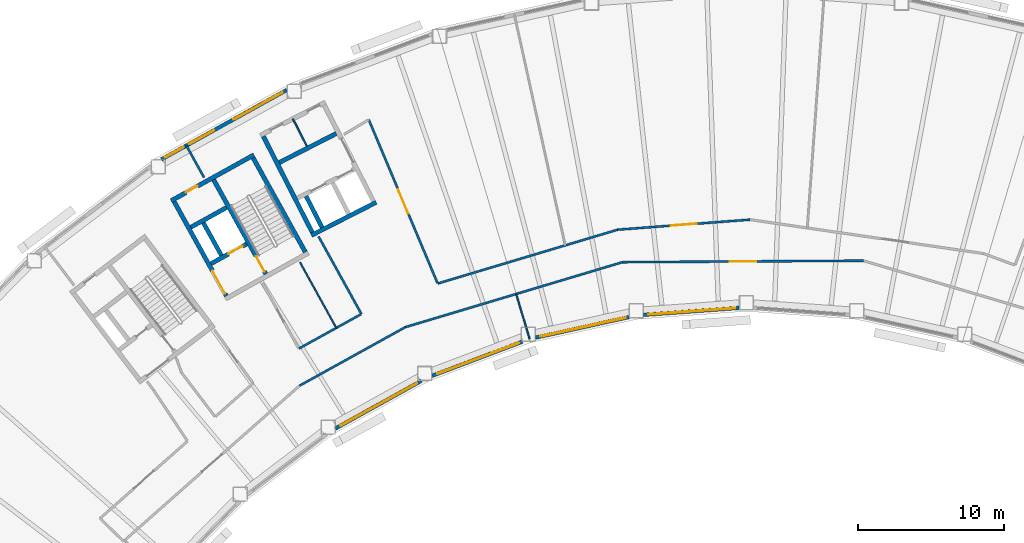
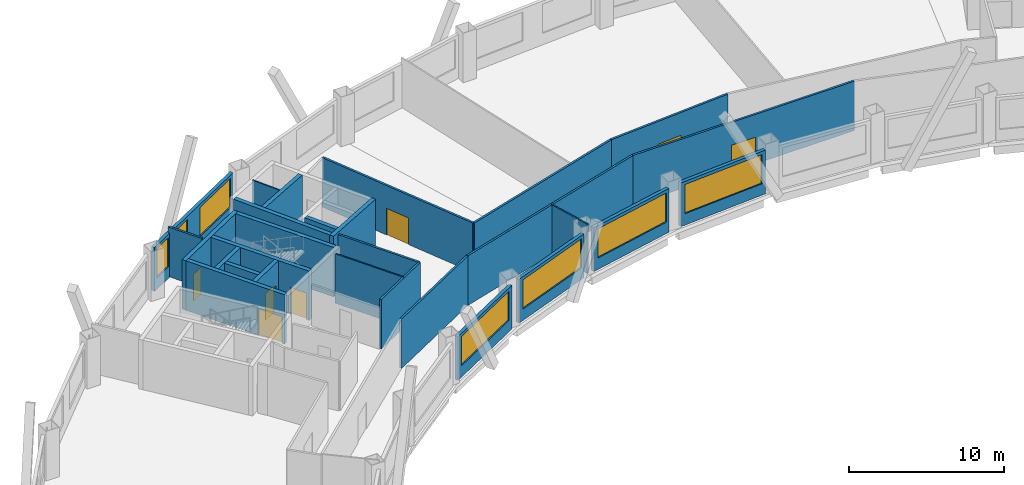
# One storey, part 4 of 11: 28 walls, 7 doors, 7 windows, 14 openings.
"""IFC4 building model written with IfcOpenShell, lengths in metres."""

from ifc_helpers import new_model, si_unit, direction, frame, frame_2d, origin, place, context, subcontext, project, spatial, rectangle, extrude, material, layer, layer_set, type_object, element, fill, save


model = new_model("IFC4")

# Units and contexts
model_context = context("Model", 3, precision=1e-05, world=origin(), true_north=direction((0.0, 1.0)))
body_context = subcontext(model_context, "Body", "Model", "MODEL_VIEW")
ifc_project = project(units=[si_unit("LENGTHUNIT", "METRE"), si_unit("AREAUNIT", "SQUARE_METRE"), si_unit("VOLUMEUNIT", "CUBIC_METRE"), si_unit("PLANEANGLEUNIT", "RADIAN"), si_unit("MASSUNIT", "GRAM", prefix="KILO")], contexts=[model_context])

# Site, building, storey
site_placement = place(None, origin())
site = spatial("IfcSite", under=ifc_project, at=site_placement, CompositionType="ELEMENT")
building_placement = place(site_placement, origin())
building = spatial("IfcBuilding", under=site, at=building_placement, Name="Tuul Gate Civic Tower", CompositionType="ELEMENT")
storey_placement = place(building_placement, frame((0.0, 0.0, 155.0)))
storey = spatial("IfcBuildingStorey", under=building, at=storey_placement, Name="Level 35", CompositionType="ELEMENT", Elevation=155.0)

# Wall, opening, door
ifc_material_1 = material(Name="Concrete C50/60", Category="concrete")
ifc_layer_1 = layer(ifc_material_1, 0.300048828125)
ifc_layer_set_1 = layer_set([ifc_layer_1], Name="Concrete C50/60")
wall_type_1 = type_object("IfcWallType", Name="Core wall C50/60", PredefinedType="SHEAR", material=ifc_layer_set_1)
wall_1_placement = place(storey_placement, frame((-28.94580078125, -8.090087890625, 0.0), z_axis=(0.0, 0.0, 1.0), x_axis=(-0.874629840737, -0.484791338301, 0.0)))
wall_1 = element("IfcWall", 1, at=wall_1_placement, inside=storey, type_object=wall_type_1, Name="Core wall", PredefinedType="SHEAR", context=body_context, shape_type="SweptSolid", body=[
    extrude(rectangle(XDim=2.800048828125, YDim=0.300048828125, at=frame_2d((1.39990234375, 0.0))), origin(), (0.0, 0.0, 1.0), 3.89990234375),
])
opening_1_placement = place(wall_1_placement, frame((0.324951171875, 0.0, 0.0)))
opening_1 = element("IfcOpeningElement", 2, at=opening_1_placement, cuts=wall_1, Name="Opening LD-FF-1", PredefinedType="OPENING", context=body_context, shape_type="SweptSolid", body=[
    extrude(rectangle(XDim=1.10009765625, YDim=2.10009765625, at=frame_2d((0.550048828125, 1.050048828125))), frame((0.0, 0.16015625, 0.0), z_axis=(0.0, -1.0, 0.0), x_axis=(1.0, 0.0, 0.0)), (0.0, 0.0, 1.0), 0.320068359375),
])
ifc_material_2 = material(Name="Stainless steel", Category="steel")
door_type_1 = type_object("IfcDoorType", Name="Landing door", OperationType="DOUBLE_DOOR_SLIDING", PredefinedType="DOOR", material=ifc_material_2)
door_1_placement = place(opening_1_placement, origin())
door_1 = element("IfcDoor", 3, at=door_1_placement, inside=storey, type_object=door_type_1, Name="Fire-fighting lift FF-1 landing door", OperationType="DOUBLE_DOOR_SLIDING", OverallHeight=2.10009765625, OverallWidth=1.10009765625, PredefinedType="DOOR", context=body_context, shape_type="SweptSolid", body=[
    extrude(rectangle(XDim=1.10009765625, YDim=2.10009765625, at=frame_2d((0.550048828125, 1.050048828125))), frame((0.0, 0.02490234375, 0.0), z_axis=(0.0, -1.0, 0.0), x_axis=(1.0, 0.0, 0.0)), (0.0, 0.0, 1.0), 0.050048828125),
])
fill(opening_1, door_1)

# Wall
wall_2_placement = place(storey_placement, frame((-30.327392578125, -5.59716796875, 0.0), z_axis=(0.0, 0.0, 1.0), x_axis=(-0.874629840737, -0.484791338301, 0.0)))
element("IfcWall", 4, at=wall_2_placement, inside=storey, type_object=wall_type_1, Name="Core wall", PredefinedType="SHEAR", context=body_context, shape_type="SweptSolid", body=[
    extrude(rectangle(XDim=2.800048828125, YDim=0.300048828125, at=frame_2d((1.39990234375, 0.0))), origin(), (0.0, 0.0, 1.0), 3.89990234375),
])

# Wall, opening, door
wall_3_placement = place(storey_placement, frame((-28.4443359375, -1.98095703125, 0.0), z_axis=(0.0, 0.0, 1.0), x_axis=(-0.874629909008, -0.484791215132, 0.0)))
wall_3 = element("IfcWall", 5, at=wall_3_placement, inside=storey, type_object=wall_type_1, Name="Core wall", PredefinedType="SHEAR", context=body_context, shape_type="SweptSolid", body=[
    extrude(rectangle(XDim=6.5, YDim=0.300048828125, at=frame_2d((3.25, 0.0))), origin(), (0.0, 0.0, 1.0), 3.89990234375),
])
opening_2_placement = place(wall_3_placement, frame((4.425048828125, 0.0, 0.0)))
opening_2 = element("IfcOpeningElement", 6, at=opening_2_placement, cuts=wall_3, Name="Opening L-D12", PredefinedType="OPENING", context=body_context, shape_type="SweptSolid", body=[
    extrude(rectangle(XDim=0.89990234375, YDim=2.10009765625, at=frame_2d((0.449951171875, 1.050048828125))), frame((0.0, 0.16015625, 0.0), z_axis=(0.0, -1.0, 0.0), x_axis=(1.0, 0.0, 0.0)), (0.0, 0.0, 1.0), 0.320068359375),
])
ifc_material_3 = material(Name="Timber door leaf", Category="wood")
door_type_2 = type_object("IfcDoorType", Name="Door D09", OperationType="NOTDEFINED", PredefinedType="DOOR", material=ifc_material_3)
door_2_placement = place(opening_2_placement, origin())
door_2 = element("IfcDoor", 7, at=door_2_placement, inside=storey, type_object=door_type_2, Name="Door L-D12", OperationType="SINGLE_SWING_LEFT", OverallHeight=2.10009765625, OverallWidth=0.89990234375, PredefinedType="DOOR", context=body_context, shape_type="SweptSolid", body=[
    extrude(rectangle(XDim=0.89990234375, YDim=2.10009765625, at=frame_2d((0.449951171875, 1.050048828125))), frame((0.0, 0.02490234375, 0.0), z_axis=(0.0, -1.0, 0.0), x_axis=(1.0, 0.0, 0.0)), (0.0, 0.0, 1.0), 0.050048828125),
])
fill(opening_2, door_2)

# Wall
wall_4_placement = place(storey_placement, frame((-24.91552734375, -8.6572265625, 0.0), z_axis=(0.0, 0.0, 1.0), x_axis=(-0.484777133038, 0.874637714304, 0.0)))
element("IfcWall", 8, at=wall_4_placement, inside=storey, type_object=wall_type_1, Name="Core wall", PredefinedType="SHEAR", context=body_context, shape_type="SweptSolid", body=[
    extrude(rectangle(XDim=7.400146484375, YDim=0.300048828125, at=frame_2d((3.7001953125, 0.0))), origin(), (0.0, 0.0, 1.0), 3.89990234375),
])

# Wall, opening, door
wall_5_placement = place(storey_placement, frame((-27.626953125, -10.16015625, 0.0), z_axis=(0.0, 0.0, 1.0), x_axis=(-0.484751894226, 0.874651702704, 0.0)))
wall_5 = element("IfcWall", 9, at=wall_5_placement, inside=storey, type_object=wall_type_1, Name="Core wall", PredefinedType="SHEAR", context=body_context, shape_type="SweptSolid", body=[
    extrude(rectangle(XDim=7.39990234375, YDim=0.300048828125, at=frame_2d((3.699951171875, 0.0))), origin(), (0.0, 0.0, 1.0), 3.89990234375),
])
opening_3_placement = place(wall_5_placement, frame((0.199951171875, 0.0, 0.0)))
opening_3 = element("IfcOpeningElement", 10, at=opening_3_placement, cuts=wall_5, Name="Opening SD-ST-2", PredefinedType="OPENING", context=body_context, shape_type="SweptSolid", body=[
    extrude(rectangle(XDim=1.199951171875, YDim=2.10009765625, at=frame_2d((0.60009765625, 1.050048828125))), frame((0.0, 0.16015625, 0.0), z_axis=(0.0, -1.0, 0.0), x_axis=(1.0, 0.0, 0.0)), (0.0, 0.0, 1.0), 0.320068359375),
])
ifc_material_4 = material(Name="Steel", Category="steel")
door_type_3 = type_object("IfcDoorType", Name="Stair door", OperationType="NOTDEFINED", PredefinedType="DOOR", material=ifc_material_4)
door_3_placement = place(opening_3_placement, origin())
door_3 = element("IfcDoor", 11, at=door_3_placement, inside=storey, type_object=door_type_3, Name="Stair door ST-2", OperationType="SINGLE_SWING_LEFT", OverallHeight=2.10009765625, OverallWidth=1.199951171875, PredefinedType="DOOR", context=body_context, shape_type="SweptSolid", body=[
    extrude(rectangle(XDim=1.199951171875, YDim=2.10009765625, at=frame_2d((0.60009765625, 1.050048828125))), frame((0.0, 0.02490234375, 0.0), z_axis=(0.0, -1.0, 0.0), x_axis=(1.0, 0.0, 0.0)), (0.0, 0.0, 1.0), 0.050048828125),
])
fill(opening_3, door_3)

# Wall
wall_6_placement = place(storey_placement, frame((-30.680419921875, -8.8798828125, 0.0), z_axis=(0.0, 0.0, 1.0), x_axis=(-0.484724115216, 0.874667097888, 0.0)))
element("IfcWall", 12, at=wall_6_placement, inside=storey, type_object=wall_type_1, Name="Core wall", PredefinedType="SHEAR", context=body_context, shape_type="SweptSolid", body=[
    extrude(rectangle(XDim=2.550048828125, YDim=0.300048828125, at=frame_2d((1.27490234375, 0.0))), origin(), (0.0, 0.0, 1.0), 3.89990234375),
])

# Wall, opening, door
wall_7_placement = place(storey_placement, frame((-30.33837890625, -11.6630859375, 0.0), z_axis=(0.0, 0.0, 1.0), x_axis=(-0.484751894226, 0.874651702704, 0.0)))
wall_7 = element("IfcWall", 13, at=wall_7_placement, inside=storey, type_object=wall_type_1, Name="Core wall", PredefinedType="SHEAR", context=body_context, shape_type="SweptSolid", body=[
    extrude(rectangle(XDim=7.39990234375, YDim=0.300048828125, at=frame_2d((3.699951171875, 0.0))), origin(), (0.0, 0.0, 1.0), 3.89990234375),
])
opening_4_placement = place(wall_7_placement, frame((0.175048828125, 0.0, 0.0)))
opening_4 = element("IfcOpeningElement", 14, at=opening_4_placement, cuts=wall_7, Name="Opening LB-W2-FLOBBY-1", PredefinedType="OPENING", context=body_context, shape_type="SweptSolid", body=[
    extrude(rectangle(XDim=1.800048828125, YDim=2.10009765625, at=frame_2d((0.89990234375, 1.050048828125))), frame((0.0, 0.16015625, 0.0), z_axis=(0.0, -1.0, 0.0), x_axis=(1.0, 0.0, 0.0)), (0.0, 0.0, 1.0), 0.320068359375),
])
ifc_material_5 = material(Name="Steel", Category="steel")
door_type_4 = type_object("IfcDoorType", Name="Lobby door", OperationType="DOUBLE_DOOR_SINGLE_SWING", PredefinedType="DOOR", material=ifc_material_5)
door_4_placement = place(opening_4_placement, frame((1.800048828125, 0.0, 0.0), z_axis=(0.0, 0.0, 1.0), x_axis=(-1.0, 0.0, 0.0)))
door_4 = element("IfcDoor", 15, at=door_4_placement, inside=storey, type_object=door_type_4, Name="Lobby door W2-FLOBBY", OperationType="DOUBLE_DOOR_SINGLE_SWING", OverallHeight=2.10009765625, OverallWidth=1.800048828125, PredefinedType="DOOR", context=body_context, shape_type="SweptSolid", body=[
    extrude(rectangle(XDim=1.800048828125, YDim=2.10009765625, at=frame_2d((0.900146484375, 1.050048828125))), frame((0.0, 0.02490234375, 0.0), z_axis=(0.0, -1.0, 0.0), x_axis=(1.0, 0.0, 0.0)), (0.0, 0.0, 1.0), 0.050048828125),
])
fill(opening_4, door_4)

ifc_material_6 = material(Name="Gypsum board partition")
ifc_layer_2 = layer(ifc_material_6, 0.14990234375)
ifc_layer_set_2 = layer_set([ifc_layer_2], Name="Gypsum board partition")
wall_type_2 = type_object("IfcWallType", Name="Corridor wall P150", PredefinedType="PARTITIONING", material=ifc_layer_set_2)
wall_8_placement = place(storey_placement, frame((-3.470947265625, -7.116455078125, 0.0), z_axis=(0.0, 0.0, 1.0), x_axis=(0.997138621877, 0.075594766752, 0.0)))
wall_8 = element("IfcWall", 16, at=wall_8_placement, inside=storey, type_object=wall_type_2, Name="p019", PredefinedType="PARTITIONING", context=body_context, shape_type="SweptSolid", body=[
    extrude(rectangle(XDim=9.1171875, YDim=0.14990234375, at=frame_2d((4.55859375, 0.0))), origin(), (0.0, 0.0, 1.0), 3.89990234375),
])
opening_5_placement = place(wall_8_placement, frame((3.658447265625, 0.0, 0.0)))
opening_5 = element("IfcOpeningElement", 17, at=opening_5_placement, cuts=wall_8, Name="Opening L-D04", PredefinedType="OPENING", context=body_context, shape_type="SweptSolid", body=[
    extrude(rectangle(XDim=1.800048828125, YDim=2.10009765625, at=frame_2d((0.89990234375, 1.050048828125))), frame((0.0, 0.0849609375, 0.0), z_axis=(0.0, -1.0, 0.0), x_axis=(1.0, 0.0, 0.0)), (0.0, 0.0, 1.0), 0.169921875),
])
ifc_material_7 = material(Name="Timber door leaf, double", Category="wood")
door_type_5 = type_object("IfcDoorType", Name="Door D18", OperationType="DOUBLE_DOOR_SINGLE_SWING", PredefinedType="DOOR", material=ifc_material_7)
door_5_placement = place(opening_5_placement, origin())
door_5 = element("IfcDoor", 18, at=door_5_placement, inside=storey, type_object=door_type_5, Name="Door L-D04", OperationType="DOUBLE_DOOR_SINGLE_SWING", OverallHeight=2.10009765625, OverallWidth=1.800048828125, PredefinedType="DOOR", context=body_context, shape_type="SweptSolid", body=[
    extrude(rectangle(XDim=1.800048828125, YDim=2.10009765625, at=frame_2d((0.89990234375, 1.050048828125))), frame((0.0, 0.02490234375, 0.0), z_axis=(0.0, -1.0, 0.0), x_axis=(1.0, 0.0, 0.0)), (0.0, 0.0, 1.0), 0.050048828125),
])
fill(opening_5, door_5)

# Wall
wall_9_placement = place(storey_placement, frame((-15.811279296875, -10.80859375, 0.0), z_axis=(0.0, 0.0, 1.0), x_axis=(0.95803160682, 0.286662589701, 0.0)))
element("IfcWall", 19, at=wall_9_placement, inside=storey, type_object=wall_type_2, Name="p020", PredefinedType="PARTITIONING", context=body_context, shape_type="SweptSolid", body=[
    extrude(rectangle(XDim=12.87890625, YDim=0.14990234375, at=frame_2d((6.439453125, 0.0))), origin(), (0.0, 0.0, 1.0), 3.89990234375),
])

# Wall, opening, door
wall_10_placement = place(storey_placement, frame((-20.5615234375, 0.435546875, 0.0), z_axis=(0.0, 0.0, 1.0), x_axis=(0.387744378933, -0.921766942674, 0.0)))
wall_10 = element("IfcWall", 20, at=wall_10_placement, inside=storey, type_object=wall_type_2, Name="p022", PredefinedType="PARTITIONING", context=body_context, shape_type="SweptSolid", body=[
    extrude(rectangle(XDim=12.185546875, YDim=0.14990234375, at=frame_2d((6.0927734375, 0.0))), origin(), (0.0, 0.0, 1.0), 3.89990234375),
])
opening_6_placement = place(wall_10_placement, frame((5.19287109375, 0.0, 0.0)))
opening_6 = element("IfcOpeningElement", 21, at=opening_6_placement, cuts=wall_10, Name="Opening L-D05", PredefinedType="OPENING", context=body_context, shape_type="SweptSolid", body=[
    extrude(rectangle(XDim=1.800048828125, YDim=2.10009765625, at=frame_2d((0.89990234375, 1.050048828125))), frame((0.0, 0.0849609375, 0.0), z_axis=(0.0, -1.0, 0.0), x_axis=(1.0, 0.0, 0.0)), (0.0, 0.0, 1.0), 0.169921875),
])
door_6_placement = place(opening_6_placement, origin())
door_6 = element("IfcDoor", 22, at=door_6_placement, inside=storey, type_object=door_type_5, Name="Door L-D05", OperationType="DOUBLE_DOOR_SINGLE_SWING", OverallHeight=2.10009765625, OverallWidth=1.800048828125, PredefinedType="DOOR", context=body_context, shape_type="SweptSolid", body=[
    extrude(rectangle(XDim=1.800048828125, YDim=2.10009765625, at=frame_2d((0.89990234375, 1.050048828125))), frame((0.0, 0.02490234375, 0.0), z_axis=(0.0, -1.0, 0.0), x_axis=(1.0, 0.0, 0.0)), (0.0, 0.0, 1.0), 0.050048828125),
])
fill(opening_6, door_6)

# Walls
wall_11_placement = place(storey_placement, frame((-24.0078125, -7.586181640625, 0.0), z_axis=(0.0, 0.0, 1.0), x_axis=(0.483990526956, -0.87507323683, 0.0)))
element("IfcWall", 23, at=wall_11_placement, inside=storey, type_object=wall_type_2, Name="p024", PredefinedType="PARTITIONING", context=body_context, shape_type="SweptSolid", body=[
    extrude(rectangle(XDim=6.062255859375, YDim=0.14990234375, at=frame_2d((3.03125, 0.0))), origin(), (0.0, 0.0, 1.0), 3.89990234375),
])
wall_12_placement = place(storey_placement, frame((-25.348876953125, -15.276611328125, 0.0), z_axis=(0.0, 0.0, 1.0), x_axis=(0.874956857893, 0.484200884785, 0.0)))
element("IfcWall", 24, at=wall_12_placement, inside=storey, type_object=wall_type_2, Name="p025", PredefinedType="PARTITIONING", context=body_context, shape_type="SweptSolid", body=[
    extrude(rectangle(XDim=4.875244140625, YDim=0.14990234375, at=frame_2d((2.4375, 0.0))), origin(), (0.0, 0.0, 1.0), 3.89990234375),
])
wall_13_placement = place(storey_placement, frame((-33.087890625, -1.337890625, 0.0), z_axis=(0.0, 0.0, 1.0), x_axis=(0.484347743095, -0.874875570443, 0.0)))
element("IfcWall", 25, at=wall_13_placement, inside=storey, type_object=wall_type_2, Name="p026", PredefinedType="PARTITIONING", context=body_context, shape_type="SweptSolid", body=[
    extrude(rectangle(XDim=2.513671875, YDim=0.14990234375, at=frame_2d((1.2568359375, 0.0))), origin(), (0.0, 0.0, 1.0), 3.89990234375),
])
wall_14_placement = place(storey_placement, frame((-18.05029296875, -13.80908203125, 0.0), z_axis=(0.0, 0.0, 1.0), x_axis=(0.958036743569, 0.286645422031, 0.0)))
element("IfcWall", 26, at=wall_14_placement, inside=storey, type_object=wall_type_2, Name="p037", PredefinedType="PARTITIONING", context=body_context, shape_type="SweptSolid", body=[
    extrude(rectangle(XDim=15.561767578125, YDim=0.14990234375, at=frame_2d((7.78076171875, 0.0))), origin(), (0.0, 0.0, 1.0), 3.89990234375),
])

# Wall, opening, door
wall_15_placement = place(storey_placement, frame((-3.1416015625, -9.348388671875, 0.0), z_axis=(0.0, 0.0, 1.0), x_axis=(0.999981434522, 0.006093489325, 0.0)))
wall_15 = element("IfcWall", 27, at=wall_15_placement, inside=storey, type_object=wall_type_2, Name="p038", PredefinedType="PARTITIONING", context=body_context, shape_type="SweptSolid", body=[
    extrude(rectangle(XDim=16.547119140625, YDim=0.14990234375, at=frame_2d((8.2734375, 0.0))), origin(), (0.0, 0.0, 1.0), 3.89990234375),
])
opening_7_placement = place(wall_15_placement, frame((7.37353515625, 0.0, 0.0)))
opening_7 = element("IfcOpeningElement", 28, at=opening_7_placement, cuts=wall_15, Name="Opening L-D08", PredefinedType="OPENING", context=body_context, shape_type="SweptSolid", body=[
    extrude(rectangle(XDim=1.800048828125, YDim=2.10009765625, at=frame_2d((0.89990234375, 1.050048828125))), frame((0.0, 0.0849609375, 0.0), z_axis=(0.0, -1.0, 0.0), x_axis=(1.0, 0.0, 0.0)), (0.0, 0.0, 1.0), 0.169921875),
])
door_7_placement = place(opening_7_placement, frame((1.800048828125, 0.0, 0.0), z_axis=(0.0, 0.0, 1.0), x_axis=(-1.0, 0.0, 0.0)))
door_7 = element("IfcDoor", 29, at=door_7_placement, inside=storey, type_object=door_type_5, Name="Door L-D08", OperationType="DOUBLE_DOOR_SINGLE_SWING", OverallHeight=2.10009765625, OverallWidth=1.800048828125, PredefinedType="DOOR", context=body_context, shape_type="SweptSolid", body=[
    extrude(rectangle(XDim=1.800048828125, YDim=2.10009765625, at=frame_2d((0.900146484375, 1.050048828125))), frame((0.0, 0.02490234375, 0.0), z_axis=(0.0, -1.0, 0.0), x_axis=(1.0, 0.0, 0.0)), (0.0, 0.0, 1.0), 0.050048828125),
])
fill(opening_7, door_7)

# Wall
wall_16_placement = place(storey_placement, frame((-25.308837890625, -17.826171875, 0.0), z_axis=(0.0, 0.0, 1.0), x_axis=(0.874970911839, 0.484175488264, 0.0)))
element("IfcWall", 30, at=wall_16_placement, inside=storey, type_object=wall_type_2, Name="p041", PredefinedType="PARTITIONING", context=body_context, shape_type="SweptSolid", body=[
    extrude(rectangle(XDim=8.295654296875, YDim=0.14990234375, at=frame_2d((4.14794921875, 0.0))), origin(), (0.0, 0.0, 1.0), 3.89990234375),
])

# Wall, openings, windows
ifc_material_8 = material(Name="Precast concrete C40/50", Category="concrete")
ifc_layer_3 = layer(ifc_material_8, 0.25)
ifc_layer_set_3 = layer_set([ifc_layer_3], Name="Precast concrete C40/50")
wall_type_3 = type_object("IfcWallType", Name="External wall", PredefinedType="STANDARD", material=ifc_layer_set_3)
wall_17_placement = place(storey_placement, frame((-26.18994140625, 2.479736328125, 0.0), z_axis=(0.0, 0.0, 1.0), x_axis=(-0.874631968484, -0.484787499536, 0.0)))
wall_17 = element("IfcWall", 31, at=wall_17_placement, inside=storey, type_object=wall_type_3, Name="External wall", PredefinedType="STANDARD", context=body_context, shape_type="SweptSolid", body=[
    extrude(rectangle(XDim=9.8408203125, YDim=0.25, at=frame_2d((4.92041015625, 0.0))), origin(), (0.0, 0.0, 1.0), 3.449951171875),
])
opening_8_placement = place(wall_17_placement, frame((0.3359375, 0.0, 0.89990234375)))
opening_8 = element("IfcOpeningElement", 32, at=opening_8_placement, cuts=wall_17, Name="Opening W22", PredefinedType="OPENING", context=body_context, shape_type="SweptSolid", body=[
    extrude(rectangle(XDim=3.85009765625, YDim=2.300048828125, at=frame_2d((1.925048828125, 1.14990234375))), frame((0.0, 0.135009765625, 0.0), z_axis=(0.0, -1.0, 0.0), x_axis=(1.0, 0.0, 0.0)), (0.0, 0.0, 1.0), 0.27001953125),
])
opening_9_placement = place(wall_17_placement, frame((5.720703125, 0.0, 0.89990234375)))
opening_9 = element("IfcOpeningElement", 33, at=opening_9_placement, cuts=wall_17, Name="Opening W46", PredefinedType="OPENING", context=body_context, shape_type="SweptSolid", body=[
    extrude(rectangle(XDim=1.949951171875, YDim=2.300048828125, at=frame_2d((0.97509765625, 1.14990234375))), frame((0.0, 0.135009765625, 0.0), z_axis=(0.0, -1.0, 0.0), x_axis=(1.0, 0.0, 0.0)), (0.0, 0.0, 1.0), 0.27001953125),
])
opening_10_placement = place(wall_17_placement, frame((8.095703125, 0.0, 0.89990234375)))
opening_10 = element("IfcOpeningElement", 34, at=opening_10_placement, cuts=wall_17, Name="Opening W47", PredefinedType="OPENING", context=body_context, shape_type="SweptSolid", body=[
    extrude(rectangle(XDim=1.449951171875, YDim=2.300048828125, at=frame_2d((0.72509765625, 1.14990234375))), frame((0.0, 0.135009765625, 0.0), z_axis=(0.0, -1.0, 0.0), x_axis=(1.0, 0.0, 0.0)), (0.0, 0.0, 1.0), 0.27001953125),
])
ifc_material_9 = material(Name="Glass", Category="glass")
window_type_1 = type_object("IfcWindowType", Name="Window 1450 x 2300", PartitioningType="SINGLE_PANEL", PredefinedType="WINDOW", material=ifc_material_9)
window_1_placement = place(opening_10_placement, origin())
window_1 = element("IfcWindow", 35, at=window_1_placement, inside=storey, type_object=window_type_1, Name="Window", OverallHeight=2.300048828125, OverallWidth=1.449951171875, PartitioningType="SINGLE_PANEL", PredefinedType="WINDOW", context=body_context, shape_type="SweptSolid", body=[
    extrude(rectangle(XDim=1.449951171875, YDim=2.300048828125, at=frame_2d((0.72509765625, 1.14990234375))), frame((0.0, 0.030029296875, 0.0), z_axis=(0.0, -1.0, 0.0), x_axis=(1.0, 0.0, 0.0)), (0.0, 0.0, 1.0), 0.06005859375),
])
fill(opening_10, window_1)
ifc_material_10 = material(Name="Glass", Category="glass")
window_type_2 = type_object("IfcWindowType", Name="Window 1950 x 2300", PartitioningType="SINGLE_PANEL", PredefinedType="WINDOW", material=ifc_material_10)
window_2_placement = place(opening_9_placement, origin())
window_2 = element("IfcWindow", 36, at=window_2_placement, inside=storey, type_object=window_type_2, Name="Window", OverallHeight=2.300048828125, OverallWidth=1.949951171875, PartitioningType="SINGLE_PANEL", PredefinedType="WINDOW", context=body_context, shape_type="SweptSolid", body=[
    extrude(rectangle(XDim=1.949951171875, YDim=2.300048828125, at=frame_2d((0.97509765625, 1.14990234375))), frame((0.0, 0.030029296875, 0.0), z_axis=(0.0, -1.0, 0.0), x_axis=(1.0, 0.0, 0.0)), (0.0, 0.0, 1.0), 0.06005859375),
])
fill(opening_9, window_2)
ifc_material_11 = material(Name="Glass", Category="glass")
window_type_3 = type_object("IfcWindowType", Name="Window W22 3850 x 2300", PartitioningType="SINGLE_PANEL", PredefinedType="WINDOW", material=ifc_material_11)
window_3_placement = place(opening_8_placement, origin())
window_3 = element("IfcWindow", 37, at=window_3_placement, inside=storey, type_object=window_type_3, Name="Window", OverallHeight=2.300048828125, OverallWidth=3.85009765625, PartitioningType="SINGLE_PANEL", PredefinedType="WINDOW", context=body_context, shape_type="SweptSolid", body=[
    extrude(rectangle(XDim=3.85009765625, YDim=2.300048828125, at=frame_2d((1.925048828125, 1.14990234375))), frame((0.0, 0.030029296875, 0.0), z_axis=(0.0, -1.0, 0.0), x_axis=(1.0, 0.0, 0.0)), (0.0, 0.0, 1.0), 0.06005859375),
])
fill(opening_8, window_3)

# Wall, opening, window
wall_18_placement = place(storey_placement, frame((-22.85302734375, -20.766845703125, 0.0), z_axis=(0.0, 0.0, 1.0), x_axis=(0.874615488592, 0.484817230628, 0.0)))
wall_18 = element("IfcWall", 38, at=wall_18_placement, inside=storey, type_object=wall_type_3, Name="External wall", PredefinedType="STANDARD", context=body_context, shape_type="SweptSolid", body=[
    extrude(rectangle(XDim=6.7548828125, YDim=0.25, at=frame_2d((3.37744140625, 0.0))), origin(), (0.0, 0.0, 1.0), 3.449951171875),
])
opening_11_placement = place(wall_18_placement, frame((0.40478515625, 0.0, 0.89990234375)))
opening_11 = element("IfcOpeningElement", 39, at=opening_11_placement, cuts=wall_18, Name="Opening W26", PredefinedType="OPENING", context=body_context, shape_type="SweptSolid", body=[
    extrude(rectangle(XDim=6.0, YDim=2.300048828125, at=frame_2d((3.0, 1.14990234375))), frame((0.0, 0.135009765625, 0.0), z_axis=(0.0, -1.0, 0.0), x_axis=(1.0, 0.0, 0.0)), (0.0, 0.0, 1.0), 0.27001953125),
])
ifc_material_12 = material(Name="Glass", Category="glass")
window_type_4 = type_object("IfcWindowType", Name="Window W26 6000 x 2300", PartitioningType="SINGLE_PANEL", PredefinedType="WINDOW", material=ifc_material_12)
window_4_placement = place(opening_11_placement, origin())
window_4 = element("IfcWindow", 40, at=window_4_placement, inside=storey, type_object=window_type_4, Name="Window", OverallHeight=2.300048828125, OverallWidth=6.0, PartitioningType="SINGLE_PANEL", PredefinedType="WINDOW", context=body_context, shape_type="SweptSolid", body=[
    extrude(rectangle(XDim=6.0, YDim=2.300048828125, at=frame_2d((3.0, 1.14990234375))), frame((0.0, 0.030029296875, 0.0), z_axis=(0.0, -1.0, 0.0), x_axis=(1.0, 0.0, 0.0)), (0.0, 0.0, 1.0), 0.06005859375),
])
fill(opening_11, window_4)

wall_19_placement = place(storey_placement, frame((-16.212890625, -17.150146484375, 0.0), z_axis=(0.0, 0.0, 1.0), x_axis=(0.935354811562, 0.353710865662, 0.0)))
wall_19 = element("IfcWall", 41, at=wall_19_placement, inside=storey, type_object=wall_type_3, Name="External wall", PredefinedType="STANDARD", context=body_context, shape_type="SweptSolid", body=[
    extrude(rectangle(XDim=6.624755859375, YDim=0.25, at=frame_2d((3.3125, 0.0))), origin(), (0.0, 0.0, 1.0), 3.449951171875),
])
opening_12_placement = place(wall_19_placement, frame((0.384521484375, 0.0, 0.89990234375)))
opening_12 = element("IfcOpeningElement", 42, at=opening_12_placement, cuts=wall_19, Name="Opening W26", PredefinedType="OPENING", context=body_context, shape_type="SweptSolid", body=[
    extrude(rectangle(XDim=6.0, YDim=2.300048828125, at=frame_2d((3.0, 1.14990234375))), frame((0.0, 0.135009765625, 0.0), z_axis=(0.0, -1.0, 0.0), x_axis=(1.0, 0.0, 0.0)), (0.0, 0.0, 1.0), 0.27001953125),
])
window_5_placement = place(opening_12_placement, origin())
window_5 = element("IfcWindow", 43, at=window_5_placement, inside=storey, type_object=window_type_4, Name="Window", OverallHeight=2.300048828125, OverallWidth=6.0, PartitioningType="SINGLE_PANEL", PredefinedType="WINDOW", context=body_context, shape_type="SweptSolid", body=[
    extrude(rectangle(XDim=6.0, YDim=2.300048828125, at=frame_2d((3.0, 1.14990234375))), frame((0.0, 0.030029296875, 0.0), z_axis=(0.0, -1.0, 0.0), x_axis=(1.0, 0.0, 0.0)), (0.0, 0.0, 1.0), 0.06005859375),
])
fill(opening_12, window_5)

wall_20_placement = place(storey_placement, frame((-9.112060546875, -14.529296875, 0.0), z_axis=(0.0, 0.0, 1.0), x_axis=(0.976557337415, 0.215257442942, 0.0)))
wall_20 = element("IfcWall", 44, at=wall_20_placement, inside=storey, type_object=wall_type_3, Name="External wall", PredefinedType="STANDARD", context=body_context, shape_type="SweptSolid", body=[
    extrude(rectangle(XDim=6.568115234375, YDim=0.25, at=frame_2d((3.2841796875, 0.0))), origin(), (0.0, 0.0, 1.0), 3.449951171875),
])
opening_13_placement = place(wall_20_placement, frame((0.355712890625, 0.0, 0.89990234375)))
opening_13 = element("IfcOpeningElement", 45, at=opening_13_placement, cuts=wall_20, Name="Opening W26", PredefinedType="OPENING", context=body_context, shape_type="SweptSolid", body=[
    extrude(rectangle(XDim=6.0, YDim=2.300048828125, at=frame_2d((3.0, 1.14990234375))), frame((0.0, 0.135009765625, 0.0), z_axis=(0.0, -1.0, 0.0), x_axis=(1.0, 0.0, 0.0)), (0.0, 0.0, 1.0), 0.27001953125),
])
window_6_placement = place(opening_13_placement, origin())
window_6 = element("IfcWindow", 46, at=window_6_placement, inside=storey, type_object=window_type_4, Name="Window", OverallHeight=2.300048828125, OverallWidth=6.0, PartitioningType="SINGLE_PANEL", PredefinedType="WINDOW", context=body_context, shape_type="SweptSolid", body=[
    extrude(rectangle(XDim=6.0, YDim=2.300048828125, at=frame_2d((3.0, 1.14990234375))), frame((0.0, 0.030029296875, 0.0), z_axis=(0.0, -1.0, 0.0), x_axis=(1.0, 0.0, 0.0)), (0.0, 0.0, 1.0), 0.06005859375),
])
fill(opening_13, window_6)

wall_21_placement = place(storey_placement, frame((-1.697998046875, -12.962158203125, 0.0), z_axis=(0.0, 0.0, 1.0), x_axis=(0.997383866909, 0.072287080662, 0.0)))
wall_21 = element("IfcWall", 47, at=wall_21_placement, inside=storey, type_object=wall_type_3, Name="External wall", PredefinedType="STANDARD", context=body_context, shape_type="SweptSolid", body=[
    extrude(rectangle(XDim=6.58935546875, YDim=0.25, at=frame_2d((3.294677734375, 0.0))), origin(), (0.0, 0.0, 1.0), 3.449951171875),
])
opening_14_placement = place(wall_21_placement, frame((0.318115234375, 0.0, 0.89990234375)))
opening_14 = element("IfcOpeningElement", 48, at=opening_14_placement, cuts=wall_21, Name="Opening W26", PredefinedType="OPENING", context=body_context, shape_type="SweptSolid", body=[
    extrude(rectangle(XDim=6.0, YDim=2.300048828125, at=frame_2d((3.0, 1.14990234375))), frame((0.0, 0.135009765625, 0.0), z_axis=(0.0, -1.0, 0.0), x_axis=(1.0, 0.0, 0.0)), (0.0, 0.0, 1.0), 0.27001953125),
])
window_7_placement = place(opening_14_placement, origin())
window_7 = element("IfcWindow", 49, at=window_7_placement, inside=storey, type_object=window_type_4, Name="Window", OverallHeight=2.300048828125, OverallWidth=6.0, PartitioningType="SINGLE_PANEL", PredefinedType="WINDOW", context=body_context, shape_type="SweptSolid", body=[
    extrude(rectangle(XDim=6.0, YDim=2.300048828125, at=frame_2d((3.0, 1.14990234375))), frame((0.0, 0.030029296875, 0.0), z_axis=(0.0, -1.0, 0.0), x_axis=(1.0, 0.0, 0.0)), (0.0, 0.0, 1.0), 0.06005859375),
])
fill(opening_14, window_7)

# Walls
ifc_material_13 = material(Name="Concrete C40/50", Category="concrete")
ifc_layer_4 = layer(ifc_material_13, 0.300048828125)
ifc_layer_set_4 = layer_set([ifc_layer_4], Name="Concrete C40/50")
wall_type_4 = type_object("IfcWallType", Name="Lift shaft wall C40/50", PredefinedType="STANDARD", material=ifc_layer_set_4)
wall_22_placement = place(storey_placement, frame((-20.049072265625, -5.232421875, 0.0), z_axis=(0.0, 0.0, 1.0), x_axis=(-0.891002976909, -0.453997461601, 0.0)))
element("IfcWall", 50, at=wall_22_placement, inside=storey, type_object=wall_type_4, Name="Shaft wall", PredefinedType="STANDARD", context=body_context, shape_type="SweptSolid", body=[
    extrude(rectangle(XDim=5.0, YDim=0.300048828125, at=frame_2d((2.5, 0.0))), origin(), (0.0, 0.0, 1.0), 3.89990234375),
])
wall_23_placement = place(storey_placement, frame((-22.790771484375, -0.5126953125, 0.0), z_axis=(0.0, 0.0, 1.0), x_axis=(-0.891005618941, -0.453992276384, 0.0)))
element("IfcWall", 51, at=wall_23_placement, inside=storey, type_object=wall_type_4, Name="Shaft wall", PredefinedType="STANDARD", context=body_context, shape_type="SweptSolid", body=[
    extrude(rectangle(XDim=4.39990234375, YDim=0.300048828125, at=frame_2d((2.199951171875, 0.0))), origin(), (0.0, 0.0, 1.0), 3.89990234375),
])
wall_24_placement = place(storey_placement, frame((-23.770263671875, -6.960205078125, 0.0), z_axis=(0.0, 0.0, 1.0), x_axis=(-0.45399587725, 0.891003784189, 0.0)))
element("IfcWall", 52, at=wall_24_placement, inside=storey, type_object=wall_type_4, Name="Shaft wall", PredefinedType="STANDARD", context=body_context, shape_type="SweptSolid", body=[
    extrude(rectangle(XDim=2.39990234375, YDim=0.300048828125, at=frame_2d((1.199951171875, 0.0))), origin(), (0.0, 0.0, 1.0), 3.89990234375),
])
wall_25_placement = place(storey_placement, frame((-24.438720703125, -7.300537109375, 0.0), z_axis=(0.0, 0.0, 1.0), x_axis=(-0.453984101083, 0.891009784438, 0.0)))
element("IfcWall", 53, at=wall_25_placement, inside=storey, type_object=wall_type_4, Name="Shaft wall", PredefinedType="STANDARD", context=body_context, shape_type="SweptSolid", body=[
    extrude(rectangle(XDim=7.399658203125, YDim=0.300048828125, at=frame_2d((3.69970703125, 0.0))), origin(), (0.0, 0.0, 1.0), 3.89990234375),
])
ifc_material_14 = material(Name="Gypsum board partition")
ifc_layer_5 = layer(ifc_material_14, 0.10009765625)
ifc_layer_set_5 = layer_set([ifc_layer_5], Name="Gypsum board partition")
wall_type_5 = type_object("IfcWallType", Name="Partition P100", PredefinedType="PARTITIONING", material=ifc_layer_set_5)
wall_26_placement = place(storey_placement, frame((-25.276611328125, -9.371826171875, 0.0), z_axis=(0.0, 0.0, 1.0), x_axis=(0.484814595675, -0.874616949195, 0.0)))
element("IfcWall", 54, at=wall_26_placement, inside=storey, type_object=wall_type_5, Name="p021", PredefinedType="PARTITIONING", context=body_context, shape_type="SweptSolid", body=[
    extrude(rectangle(XDim=5.13134765625, YDim=0.10009765625, at=frame_2d((2.565673828125, 0.0))), origin(), (0.0, 0.0, 1.0), 3.89990234375),
])
wall_27_placement = place(storey_placement, frame((-10.4375, -11.531494140625, 0.0), z_axis=(0.0, 0.0, 1.0), x_axis=(0.28520890633, -0.95846537744, 0.0)))
element("IfcWall", 55, at=wall_27_placement, inside=storey, type_object=wall_type_5, Name="p036", PredefinedType="PARTITIONING", context=body_context, shape_type="SweptSolid", body=[
    extrude(rectangle(XDim=3.226318359375, YDim=0.10009765625, at=frame_2d((1.61328125, 0.0))), origin(), (0.0, 0.0, 1.0), 3.89990234375),
])
wall_28_placement = place(storey_placement, frame((-24.819091796875, -1.377685546875, 0.0), z_axis=(0.0, 0.0, 1.0), x_axis=(-0.453990218702, 0.891006667384, 0.0)))
element("IfcWall", 56, at=wall_28_placement, inside=storey, type_object=wall_type_5, Name="bW3-BAND-0", PredefinedType="PARTITIONING", context=body_context, shape_type="SweptSolid", body=[
    extrude(rectangle(XDim=2.10009765625, YDim=0.10009765625, at=frame_2d((1.050048828125, 0.0))), origin(), (0.0, 0.0, 1.0), 3.89990234375),
])

save(model, "model.ifc")
